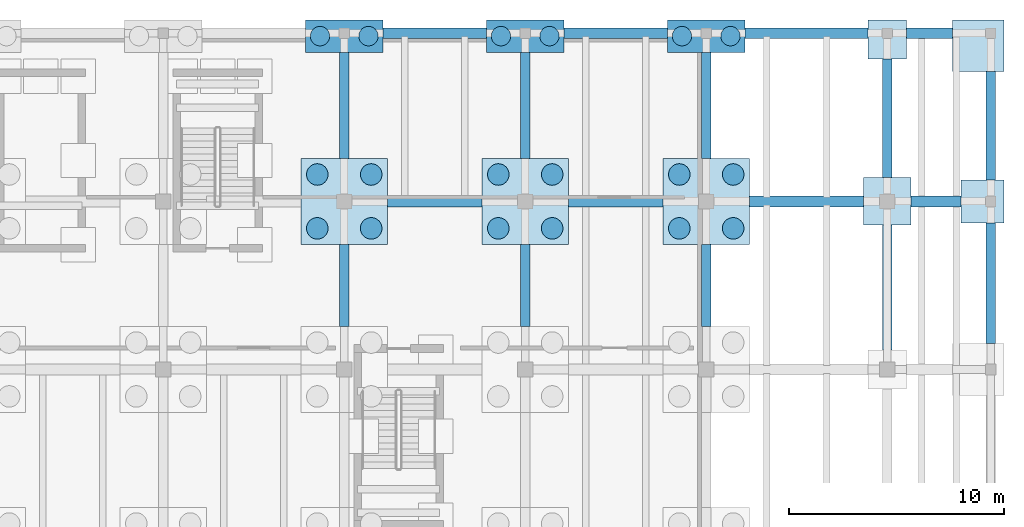
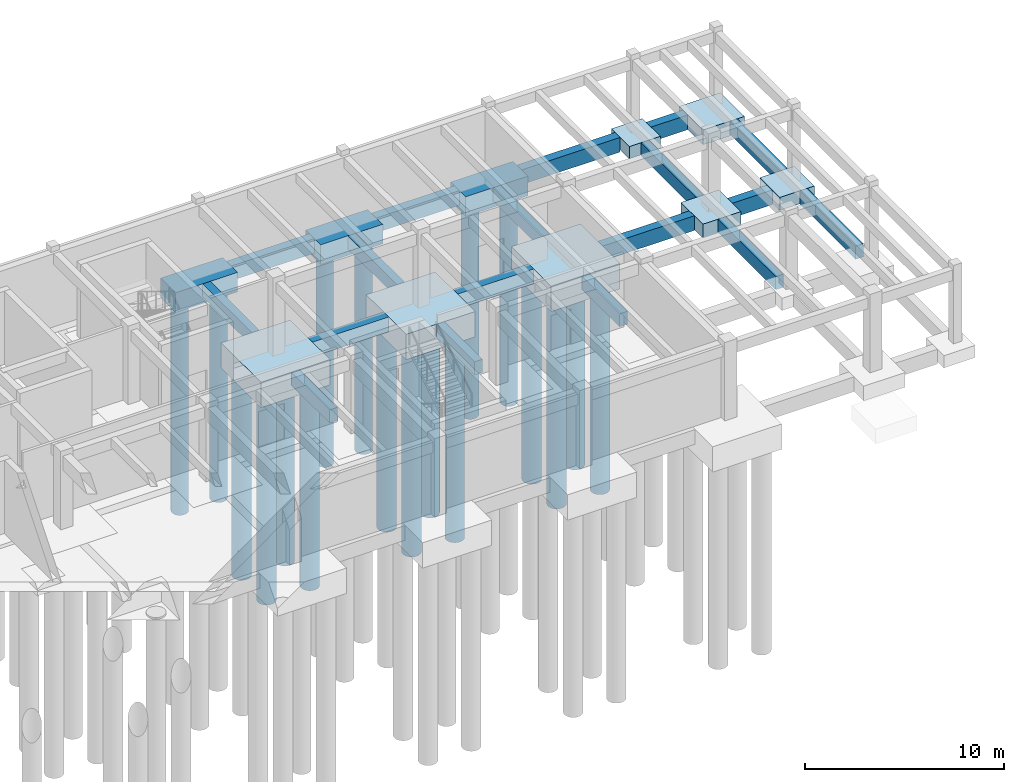
# One storey, part 9 of 46: 28 footings, 18 piles.
"""IFC4 building model written with IfcOpenShell, lengths in metres."""

from ifc_helpers import new_model, si_unit, direction, frame, origin, origin_2d, place, context, subcontext, project, spatial, rectangle, circle, extrude, material, material_profile, profile_set, type_object, element, save


model = new_model("IFC4")

# Units and contexts
model_context = context("Model", 3, precision=1e-05, world=origin(), true_north=direction((0.0, 1.0)))
body_context = subcontext(model_context, "Body", "Model", "MODEL_VIEW")
ifc_project = project(units=[si_unit("LENGTHUNIT", "METRE"), si_unit("AREAUNIT", "SQUARE_METRE"), si_unit("VOLUMEUNIT", "CUBIC_METRE"), si_unit("PLANEANGLEUNIT", "RADIAN"), si_unit("MASSUNIT", "GRAM", prefix="KILO")], contexts=[model_context])

# Site, building, storey
site_placement = place(None, origin())
site = spatial("IfcSite", under=ifc_project, at=site_placement, CompositionType="ELEMENT")
building_placement = place(site_placement, origin())
building = spatial("IfcBuilding", under=site, at=building_placement, Name="Tazoul Stagehouse", CompositionType="ELEMENT")
storey_placement = place(building_placement, frame((0.0, 0.0, -4.800048828125)))
storey = spatial("IfcBuildingStorey", under=building, at=storey_placement, Name="B1", CompositionType="ELEMENT", Elevation=-4.800048828125)

# Piles
ifc_material = material(Name="Concrete C35/45", Category="concrete")
ifc_material_profile_1 = material_profile(ifc_material, circle(Radius=0.5, at=origin_2d()), Name="BORED PILE 1000")
ifc_profile_set_1 = profile_set([ifc_material_profile_1], Name="Concrete C35/45")
pile_type_1 = type_object("IfcPileType", Name="Bored Cast-in-Place Concrete Pile D1000", PredefinedType="BORED", material=ifc_profile_set_1)
for number, where, z_axis, x_axis, name in (
    (1, (132.550048828125, 102.75, -1.449951171875), (0.0, 0.0, -1.0), (1.0, 0.0, 0.0), "Bored Pile PL-03 20/Q-1"),
    (2, (135.050048828125, 102.75, -1.449951171875), (0.0, 0.0, -1.0), (1.0, 0.0, 0.0), "Bored Pile PL-03 20/Q-2"),
    (3, (132.550048828125, 105.25, -1.449951171875), (0.0, 0.0, -1.0), (1.0, 0.0, 0.0), "Bored Pile PL-03 20/Q-3"),
    (4, (135.050048828125, 105.25, -1.449951171875), (0.0, 0.0, -1.0), (1.0, 0.0, 0.0), "Bored Pile PL-03 20/Q-4"),
    (5, (140.949951171875, 102.75, -1.449951171875), (0.0, 0.0, -1.0), (1.0, 0.0, 0.0), "Bored Pile PL-03 21/Q-1"),
    (6, (143.449951171875, 102.75, -1.449951171875), (0.0, 0.0, -1.0), (1.0, 0.0, 0.0), "Bored Pile PL-03 21/Q-2"),
    (7, (140.949951171875, 105.25, -1.449951171875), (0.0, 0.0, -1.0), (1.0, 0.0, 0.0), "Bored Pile PL-03 21/Q-3"),
    (8, (143.449951171875, 105.25, -1.449951171875), (0.0, 0.0, -1.0), (1.0, 0.0, 0.0), "Bored Pile PL-03 21/Q-4"),
    (9, (149.35009765625, 102.75, -1.449951171875), (0.0, 0.0, -1.0), (1.0, 0.0, 0.0), "Bored Pile PL-03 22/Q-1"),
    (10, (151.85009765625, 102.75, -1.449951171875), (0.0, 0.0, -1.0), (1.0, 0.0, 0.0), "Bored Pile PL-03 22/Q-2"),
    (11, (149.35009765625, 105.25, -1.449951171875), (0.0, 0.0, -1.0), (1.0, 0.0, 0.0), "Bored Pile PL-03 22/Q-3"),
    (12, (151.85009765625, 105.25, -1.449951171875), (0.0, 0.0, -1.0), (1.0, 0.0, 0.0), "Bored Pile PL-03 22/Q-4"),
):
    element("IfcPile", number, at=place(storey_placement, frame(where, z_axis=z_axis, x_axis=x_axis)), inside=storey, type_object=pile_type_1, Name=name, PredefinedType="BORED", context=body_context, shape_type="SweptSolid", body=[
        extrude(circle(Radius=0.5, at=origin_2d()), origin(), (0.0, 0.0, 1.0), 12.550048828125),
    ])
ifc_material_profile_2 = material_profile(ifc_material, circle(Radius=0.449951171875, at=origin_2d()), Name="BORED PILE 900")
ifc_profile_set_2 = profile_set([ifc_material_profile_2], Name="Concrete C35/45")
pile_type_2 = type_object("IfcPileType", Name="Bored Cast-in-Place Concrete Pile D900", PredefinedType="BORED", material=ifc_profile_set_2)
for number, where, z_axis, x_axis, name in (
    (13, (132.675048828125, 111.669921875, -1.099853515625), (0.0, 0.0, -1.0), (1.0, 0.0, 0.0), "Bored Pile PL-02 20/R-1"),
    (14, (134.925048828125, 111.669921875, -1.099853515625), (0.0, 0.0, -1.0), (1.0, 0.0, 0.0), "Bored Pile PL-02 20/R-2"),
    (15, (141.074951171875, 111.669921875, -1.099853515625), (0.0, 0.0, -1.0), (1.0, 0.0, 0.0), "Bored Pile PL-02 21/R-1"),
    (16, (143.324951171875, 111.669921875, -1.099853515625), (0.0, 0.0, -1.0), (1.0, 0.0, 0.0), "Bored Pile PL-02 21/R-2"),
    (17, (149.47509765625, 111.669921875, -1.099853515625), (0.0, 0.0, -1.0), (1.0, 0.0, 0.0), "Bored Pile PL-02 22/R-1"),
    (18, (151.72509765625, 111.669921875, -1.099853515625), (0.0, 0.0, -1.0), (1.0, 0.0, 0.0), "Bored Pile PL-02 22/R-2"),
):
    element("IfcPile", number, at=place(storey_placement, frame(where, z_axis=z_axis, x_axis=x_axis)), inside=storey, type_object=pile_type_2, Name=name, PredefinedType="BORED", context=body_context, shape_type="SweptSolid", body=[
        extrude(circle(Radius=0.449951171875, at=origin_2d()), origin(), (0.0, 0.0, 1.0), 12.89990234375),
    ])

# Footings
footing_type_1 = type_object("IfcFootingType", Name="Four-Pile Cap 4000x4000x1550", PredefinedType="PILE_CAP", material=ifc_material)
for number, where, z_axis, x_axis, name in (
    (19, (133.800048828125, 104.0, -1.5498046875), (0.0, 0.0, 1.0), (1.0, 0.0, 0.0), "Pile Cap PC-06 at 20/Q"),
    (20, (142.199951171875, 104.0, -1.5498046875), (0.0, 0.0, 1.0), (1.0, 0.0, 0.0), "Pile Cap PC-06 at 21/Q"),
    (21, (150.60009765625, 104.0, -1.5498046875), (0.0, 0.0, 1.0), (1.0, 0.0, 0.0), "Pile Cap PC-06 at 22/Q"),
):
    element("IfcFooting", number, at=place(storey_placement, frame(where, z_axis=z_axis, x_axis=x_axis)), inside=storey, type_object=footing_type_1, Name=name, PredefinedType="PILE_CAP", context=body_context, shape_type="SweptSolid", body=[
        extrude(rectangle(XDim=4.0, YDim=4.0, at=origin_2d()), origin(), (0.0, 0.0, 1.0), 1.550048828125),
    ])
ifc_material_profile_3 = material_profile(ifc_material, rectangle(XDim=0.449951171875, YDim=0.800048828125, at=origin_2d()), Name="RC 450x800")
ifc_profile_set_3 = profile_set([ifc_material_profile_3], Name="Concrete C35/45")
footing_type_2 = type_object("IfcFootingType", Name="Ground Tie Beam 450x800", PredefinedType="FOOTING_BEAM", material=ifc_profile_set_3)
footing_1_placement = place(storey_placement, frame((133.800048828125, 98.199951171875, -0.39990234375), z_axis=(0.0, 1.0, 0.0), x_axis=(-1.0, 0.0, 0.0)))
element("IfcFooting", 22, at=footing_1_placement, inside=storey, type_object=footing_type_2, Name="Ground Tie Beam GB-01 20/P-Q", PredefinedType="FOOTING_BEAM", context=body_context, shape_type="SweptSolid", body=[
    extrude(rectangle(XDim=0.449951171875, YDim=0.800048828125, at=origin_2d()), origin(), (0.0, 0.0, 1.0), 3.800048828125),
])
footing_2_placement = place(storey_placement, frame((133.800048828125, 106.0, -0.39990234375), z_axis=(0.0, 1.0, 0.0), x_axis=(-1.0, 0.0, 0.0)))
element("IfcFooting", 23, at=footing_2_placement, inside=storey, type_object=footing_type_2, Name="Ground Tie Beam GB-01 20/Q-R", PredefinedType="FOOTING_BEAM", context=body_context, shape_type="SweptSolid", body=[
    extrude(rectangle(XDim=0.449951171875, YDim=0.800048828125, at=origin_2d()), origin(), (0.0, 0.0, 1.0), 4.919921875),
])
footing_3_placement = place(storey_placement, frame((142.199951171875, 98.199951171875, -0.39990234375), z_axis=(0.0, 1.0, 0.0), x_axis=(-1.0, 0.0, 0.0)))
element("IfcFooting", 24, at=footing_3_placement, inside=storey, type_object=footing_type_2, Name="Ground Tie Beam GB-01 21/P-Q", PredefinedType="FOOTING_BEAM", context=body_context, shape_type="SweptSolid", body=[
    extrude(rectangle(XDim=0.449951171875, YDim=0.800048828125, at=origin_2d()), origin(), (0.0, 0.0, 1.0), 3.800048828125),
])
footing_4_placement = place(storey_placement, frame((142.199951171875, 106.0, -0.39990234375), z_axis=(0.0, 1.0, 0.0), x_axis=(-1.0, 0.0, 0.0)))
element("IfcFooting", 25, at=footing_4_placement, inside=storey, type_object=footing_type_2, Name="Ground Tie Beam GB-01 21/Q-R", PredefinedType="FOOTING_BEAM", context=body_context, shape_type="SweptSolid", body=[
    extrude(rectangle(XDim=0.449951171875, YDim=0.800048828125, at=origin_2d()), origin(), (0.0, 0.0, 1.0), 4.919921875),
])
footing_5_placement = place(storey_placement, frame((150.60009765625, 98.199951171875, -0.39990234375), z_axis=(0.0, 1.0, 0.0), x_axis=(-1.0, 0.0, 0.0)))
element("IfcFooting", 26, at=footing_5_placement, inside=storey, type_object=footing_type_2, Name="Ground Tie Beam GB-01 22/P-Q", PredefinedType="FOOTING_BEAM", context=body_context, shape_type="SweptSolid", body=[
    extrude(rectangle(XDim=0.449951171875, YDim=0.800048828125, at=origin_2d()), origin(), (0.0, 0.0, 1.0), 3.800048828125),
])
footing_6_placement = place(storey_placement, frame((150.60009765625, 106.0, -0.39990234375), z_axis=(0.0, 1.0, 0.0), x_axis=(-1.0, 0.0, 0.0)))
element("IfcFooting", 27, at=footing_6_placement, inside=storey, type_object=footing_type_2, Name="Ground Tie Beam GB-01 22/Q-R", PredefinedType="FOOTING_BEAM", context=body_context, shape_type="SweptSolid", body=[
    extrude(rectangle(XDim=0.449951171875, YDim=0.800048828125, at=origin_2d()), origin(), (0.0, 0.0, 1.0), 4.919921875),
])
footing_7_placement = place(storey_placement, frame((159.0, 97.10009765625, -0.39990234375), z_axis=(0.0, 1.0, 0.0), x_axis=(-1.0, 0.0, 0.0)))
element("IfcFooting", 28, at=footing_7_placement, inside=storey, type_object=footing_type_2, Name="Ground Tie Beam GB-01 23/P-Q", PredefinedType="FOOTING_BEAM", context=body_context, shape_type="SweptSolid", body=[
    extrude(rectangle(XDim=0.449951171875, YDim=0.800048828125, at=origin_2d()), origin(), (0.0, 0.0, 1.0), 5.7998046875),
])
footing_8_placement = place(storey_placement, frame((159.0, 105.10009765625, -0.39990234375), z_axis=(0.0, 1.0, 0.0), x_axis=(-1.0, 0.0, 0.0)))
element("IfcFooting", 29, at=footing_8_placement, inside=storey, type_object=footing_type_2, Name="Ground Tie Beam GB-01 23/Q-R", PredefinedType="FOOTING_BEAM", context=body_context, shape_type="SweptSolid", body=[
    extrude(rectangle(XDim=0.449951171875, YDim=0.800048828125, at=origin_2d()), origin(), (0.0, 0.0, 1.0), 5.52001953125),
])
footing_9_placement = place(storey_placement, frame((163.800048828125, 97.39990234375, -0.39990234375), z_axis=(0.0, 1.0, 0.0), x_axis=(-1.0, 0.0, 0.0)))
element("IfcFooting", 30, at=footing_9_placement, inside=storey, type_object=footing_type_2, Name="Ground Tie Beam GB-01 24/P-Q", PredefinedType="FOOTING_BEAM", context=body_context, shape_type="SweptSolid", body=[
    extrude(rectangle(XDim=0.449951171875, YDim=0.800048828125, at=origin_2d()), origin(), (0.0, 0.0, 1.0), 5.60009765625),
])
footing_10_placement = place(storey_placement, frame((163.800048828125, 105.0, -0.39990234375), z_axis=(0.0, 1.0, 0.0), x_axis=(-1.0, 0.0, 0.0)))
element("IfcFooting", 31, at=footing_10_placement, inside=storey, type_object=footing_type_2, Name="Ground Tie Beam GB-01 24/Q-R", PredefinedType="FOOTING_BEAM", context=body_context, shape_type="SweptSolid", body=[
    extrude(rectangle(XDim=0.449951171875, YDim=0.800048828125, at=origin_2d()), origin(), (0.0, 0.0, 1.0), 5.02001953125),
])
ifc_material_profile_4 = material_profile(ifc_material, rectangle(XDim=0.5, YDim=0.89990234375, at=origin_2d()), Name="RC 500x900")
ifc_profile_set_4 = profile_set([ifc_material_profile_4], Name="Concrete C35/45")
footing_type_3 = type_object("IfcFootingType", Name="Ground Tie Beam 500x900", PredefinedType="FOOTING_BEAM", material=ifc_profile_set_4)
footing_11_placement = place(storey_placement, frame((135.800048828125, 104.0, -0.449951171875), z_axis=(1.0, 0.0, 0.0), x_axis=(0.0, 1.0, 0.0)))
element("IfcFooting", 32, at=footing_11_placement, inside=storey, type_object=footing_type_3, Name="Ground Tie Beam GB-02 Q/20-21", PredefinedType="FOOTING_BEAM", context=body_context, shape_type="SweptSolid", body=[
    extrude(rectangle(XDim=0.5, YDim=0.89990234375, at=origin_2d()), origin(), (0.0, 0.0, 1.0), 4.39990234375),
])
footing_12_placement = place(storey_placement, frame((144.199951171875, 104.0, -0.449951171875), z_axis=(1.0, 0.0, 0.0), x_axis=(0.0, 1.0, 0.0)))
element("IfcFooting", 33, at=footing_12_placement, inside=storey, type_object=footing_type_3, Name="Ground Tie Beam GB-02 Q/21-22", PredefinedType="FOOTING_BEAM", context=body_context, shape_type="SweptSolid", body=[
    extrude(rectangle(XDim=0.5, YDim=0.89990234375, at=origin_2d()), origin(), (0.0, 0.0, 1.0), 4.400146484375),
])
footing_13_placement = place(storey_placement, frame((152.60009765625, 104.0, -0.449951171875), z_axis=(1.0, 0.0, 0.0), x_axis=(0.0, 1.0, 0.0)))
element("IfcFooting", 34, at=footing_13_placement, inside=storey, type_object=footing_type_3, Name="Ground Tie Beam GB-02 Q/22-23", PredefinedType="FOOTING_BEAM", context=body_context, shape_type="SweptSolid", body=[
    extrude(rectangle(XDim=0.5, YDim=0.89990234375, at=origin_2d()), origin(), (0.0, 0.0, 1.0), 5.2998046875),
])
footing_14_placement = place(storey_placement, frame((160.10009765625, 104.0, -0.449951171875), z_axis=(1.0, 0.0, 0.0), x_axis=(0.0, 1.0, 0.0)))
element("IfcFooting", 35, at=footing_14_placement, inside=storey, type_object=footing_type_3, Name="Ground Tie Beam GB-02 Q/23-24", PredefinedType="FOOTING_BEAM", context=body_context, shape_type="SweptSolid", body=[
    extrude(rectangle(XDim=0.5, YDim=0.89990234375, at=origin_2d()), origin(), (0.0, 0.0, 1.0), 2.31982421875),
])
footing_15_placement = place(storey_placement, frame((135.60009765625, 111.800048828125, -0.449951171875), z_axis=(1.0, 0.0, 0.0), x_axis=(0.0, 1.0, 0.0)))
element("IfcFooting", 36, at=footing_15_placement, inside=storey, type_object=footing_type_3, Name="Ground Tie Beam GB-02 R/20-21", PredefinedType="FOOTING_BEAM", context=body_context, shape_type="SweptSolid", body=[
    extrude(rectangle(XDim=0.5, YDim=0.89990234375, at=origin_2d()), origin(), (0.0, 0.0, 1.0), 4.7998046875),
])
footing_16_placement = place(storey_placement, frame((144.0, 111.800048828125, -0.449951171875), z_axis=(1.0, 0.0, 0.0), x_axis=(0.0, 1.0, 0.0)))
element("IfcFooting", 37, at=footing_16_placement, inside=storey, type_object=footing_type_3, Name="Ground Tie Beam GB-02 R/21-22", PredefinedType="FOOTING_BEAM", context=body_context, shape_type="SweptSolid", body=[
    extrude(rectangle(XDim=0.5, YDim=0.89990234375, at=origin_2d()), origin(), (0.0, 0.0, 1.0), 4.800048828125),
])
footing_17_placement = place(storey_placement, frame((152.39990234375, 111.800048828125, -0.449951171875), z_axis=(1.0, 0.0, 0.0), x_axis=(0.0, 1.0, 0.0)))
element("IfcFooting", 38, at=footing_17_placement, inside=storey, type_object=footing_type_3, Name="Ground Tie Beam GB-02 R/22-23", PredefinedType="FOOTING_BEAM", context=body_context, shape_type="SweptSolid", body=[
    extrude(rectangle(XDim=0.5, YDim=0.89990234375, at=origin_2d()), origin(), (0.0, 0.0, 1.0), 5.7001953125),
])
footing_18_placement = place(storey_placement, frame((159.89990234375, 111.800048828125, -0.449951171875), z_axis=(1.0, 0.0, 0.0), x_axis=(0.0, 1.0, 0.0)))
element("IfcFooting", 39, at=footing_18_placement, inside=storey, type_object=footing_type_3, Name="Ground Tie Beam GB-02 R/23-24", PredefinedType="FOOTING_BEAM", context=body_context, shape_type="SweptSolid", body=[
    extrude(rectangle(XDim=0.5, YDim=0.89990234375, at=origin_2d()), origin(), (0.0, 0.0, 1.0), 2.1201171875),
])
footing_type_4 = type_object("IfcFootingType", Name="Spread Pad Footing 1800x1800x750", PredefinedType="PAD_FOOTING", material=ifc_material)
footing_19_placement = place(storey_placement, frame((159.0, 111.52001953125, -0.75), z_axis=(0.0, 0.0, 1.0), x_axis=(1.0, 0.0, 0.0)))
element("IfcFooting", 40, at=footing_19_placement, inside=storey, type_object=footing_type_4, Name="Pad Footing PF-02 at 23/R", PredefinedType="PAD_FOOTING", context=body_context, shape_type="SweptSolid", body=[
    extrude(rectangle(XDim=1.800048828125, YDim=1.800048828125, at=origin_2d()), origin(), (0.0, 0.0, 1.0), 0.75),
])
footing_type_5 = type_object("IfcFootingType", Name="Spread Pad Footing 2000x2000x800", PredefinedType="PAD_FOOTING", material=ifc_material)
footing_20_placement = place(storey_placement, frame((163.419921875, 104.0, -0.7998046875), z_axis=(0.0, 0.0, 1.0), x_axis=(1.0, 0.0, 0.0)))
element("IfcFooting", 41, at=footing_20_placement, inside=storey, type_object=footing_type_5, Name="Pad Footing PF-03 at 24/Q", PredefinedType="PAD_FOOTING", context=body_context, shape_type="SweptSolid", body=[
    extrude(rectangle(XDim=2.0, YDim=2.0, at=origin_2d()), origin(), (0.0, 0.0, 1.0), 0.800048828125),
])
footing_type_6 = type_object("IfcFootingType", Name="Spread Pad Footing 2200x2200x850", PredefinedType="PAD_FOOTING", material=ifc_material)
footing_21_placement = place(storey_placement, frame((159.0, 104.0, -0.85009765625), z_axis=(0.0, 0.0, 1.0), x_axis=(1.0, 0.0, 0.0)))
element("IfcFooting", 42, at=footing_21_placement, inside=storey, type_object=footing_type_6, Name="Pad Footing PF-04 at 23/Q", PredefinedType="PAD_FOOTING", context=body_context, shape_type="SweptSolid", body=[
    extrude(rectangle(XDim=2.199951171875, YDim=2.199951171875, at=origin_2d()), origin(), (0.0, 0.0, 1.0), 0.85009765625),
])
footing_type_7 = type_object("IfcFootingType", Name="Spread Pad Footing 2400x2400x900", PredefinedType="PAD_FOOTING", material=ifc_material)
footing_22_placement = place(storey_placement, frame((163.219970703125, 111.219970703125, -0.89990234375), z_axis=(0.0, 0.0, 1.0), x_axis=(1.0, 0.0, 0.0)))
element("IfcFooting", 43, at=footing_22_placement, inside=storey, type_object=footing_type_7, Name="Pad Footing PF-05 at 24/R", PredefinedType="PAD_FOOTING", context=body_context, shape_type="SweptSolid", body=[
    extrude(rectangle(XDim=2.39990234375, YDim=2.39990234375, at=origin_2d()), origin(), (0.0, 0.0, 1.0), 0.89990234375),
])
footing_type_8 = type_object("IfcFootingType", Name="Two-Pile Cap 3600x1500x1200", PredefinedType="PILE_CAP", material=ifc_material)
for number, where, z_axis, x_axis, name in (
    (44, (133.800048828125, 111.669921875, -1.19970703125), (0.0, 0.0, 1.0), (1.0, 0.0, 0.0), "Pile Cap PC-01 at 20/R"),
    (45, (142.199951171875, 111.669921875, -1.19970703125), (0.0, 0.0, 1.0), (1.0, 0.0, 0.0), "Pile Cap PC-01 at 21/R"),
    (46, (150.60009765625, 111.669921875, -1.19970703125), (0.0, 0.0, 1.0), (1.0, 0.0, 0.0), "Pile Cap PC-01 at 22/R"),
):
    element("IfcFooting", number, at=place(storey_placement, frame(where, z_axis=z_axis, x_axis=x_axis)), inside=storey, type_object=footing_type_8, Name=name, PredefinedType="PILE_CAP", context=body_context, shape_type="SweptSolid", body=[
        extrude(rectangle(XDim=3.60009765625, YDim=1.5, at=origin_2d()), origin(), (0.0, 0.0, 1.0), 1.199951171875),
    ])

save(model, "model.ifc")
